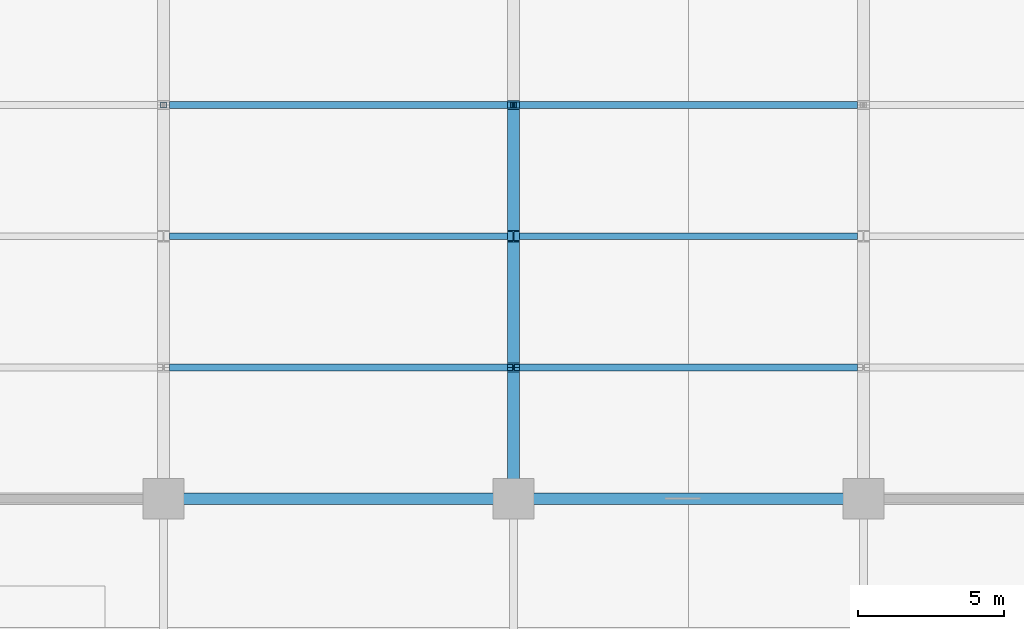
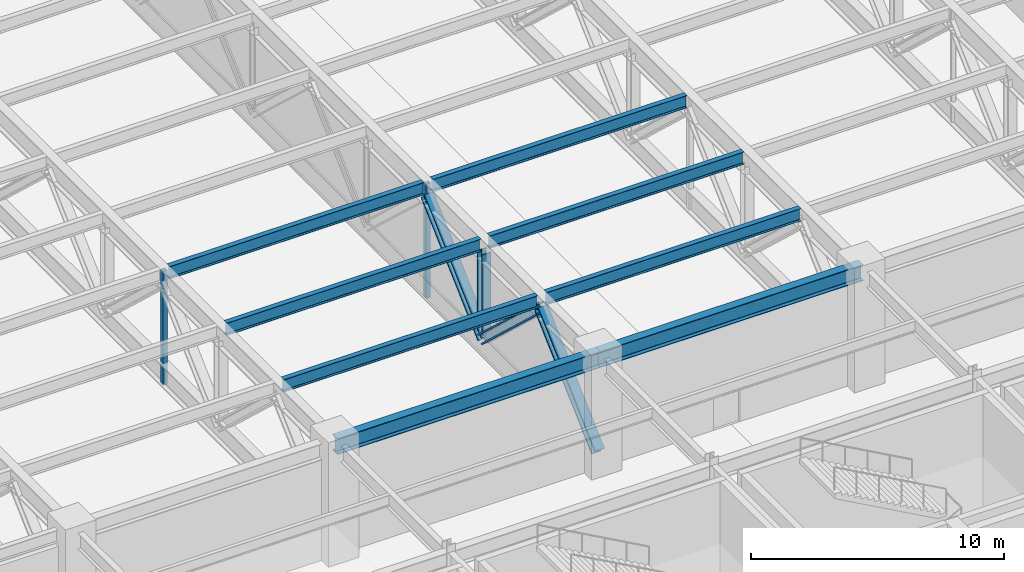
# One storey, part 26 of 108: 8 beams, 6 members.
"""IFC4 building model written with IfcOpenShell, lengths in metres."""

from ifc_helpers import new_model, si_unit, direction, frame, origin, origin_2d, place, context, subcontext, project, spatial, hollow_rectangle, i_section, extrude, material, material_profile, profile_set, type_object, element, save


model = new_model("IFC4")

# Units and contexts
model_context = context("Model", 3, precision=1e-05, world=origin(), true_north=direction((0.0, 1.0)))
body_context = subcontext(model_context, "Body", "Model", "MODEL_VIEW")
ifc_project = project(units=[si_unit("LENGTHUNIT", "METRE"), si_unit("AREAUNIT", "SQUARE_METRE"), si_unit("VOLUMEUNIT", "CUBIC_METRE"), si_unit("PLANEANGLEUNIT", "RADIAN"), si_unit("MASSUNIT", "GRAM", prefix="KILO")], contexts=[model_context])

# Site, building, storey
site_placement = place(None, origin())
site = spatial("IfcSite", under=ifc_project, at=site_placement, CompositionType="ELEMENT")
building_placement = place(site_placement, origin())
building = spatial("IfcBuilding", under=site, at=building_placement, Name="Kaldorvane Square Convention Centre", CompositionType="ELEMENT")
storey_placement = place(building_placement, frame((0.0, 0.0, 12.0)))
storey = spatial("IfcBuildingStorey", under=building, at=storey_placement, Name="L02", CompositionType="ELEMENT", Elevation=12.0)

# Beams
ifc_material_1 = material(Name="Steel ASTM A992 Gr. 50", Category="steel")
ifc_material_profile_1 = material_profile(ifc_material_1, i_section(OverallWidth=0.380706787109375, OverallDepth=0.773193359375, WebThickness=0.0166015625, FlangeThickness=0.027099609375, FilletRadius=0.0164947509765625, at=origin_2d()), Name="W30X173")
ifc_profile_set_1 = profile_set([ifc_material_profile_1], Name="Steel ASTM A992 Gr. 50")
beam_type_1 = type_object("IfcBeamType", Name="BM-GR-W30X173", PredefinedType="BEAM", material=ifc_profile_set_1)
for number, where, z_axis, x_axis, name in (
    (1, (42.0, 18.0, 5.2593994140625), (1.0, 0.0, 0.0), (0.0, 1.0, 0.0), "Primary Girder (L02)"),
    (2, (54.0, 18.0, 5.2593994140625), (1.0, 0.0, 0.0), (0.0, 1.0, 0.0), "Primary Girder (L02)"),
):
    element("IfcBeam", number, at=place(storey_placement, frame(where, z_axis=z_axis, x_axis=x_axis)), inside=storey, type_object=beam_type_1, Name=name, PredefinedType="BEAM", context=body_context, shape_type="SweptSolid", body=[
        extrude(i_section(OverallWidth=0.380706787109375, OverallDepth=0.773193359375, WebThickness=0.0166015625, FlangeThickness=0.027099609375, FilletRadius=0.0164947509765625, at=origin_2d()), origin(), (0.0, 0.0, 1.0), 12.0),
    ])
ifc_material_profile_2 = material_profile(ifc_material_1, i_section(OverallWidth=0.2277069091796875, OverallDepth=0.6027069091796875, WebThickness=0.010498046875, FlangeThickness=0.014892578125, FilletRadius=0.0126953125, at=origin_2d()), Name="W24X68")
ifc_profile_set_2 = profile_set([ifc_material_profile_2], Name="Steel ASTM A992 Gr. 50")
beam_type_2 = type_object("IfcBeamType", Name="BM-JS-W24X68", PredefinedType="JOIST", material=ifc_profile_set_2)
for number, where, z_axis, x_axis, name in (
    (3, (42.204803466796875, 22.5, 5.3446044921875), (1.0, 0.0, 0.0), (0.0, 1.0, 0.0), "Hall Composite Floor Joist (L02)"),
    (4, (42.204803466796875, 27.0, 5.3446044921875), (1.0, 0.0, 0.0), (0.0, 1.0, 0.0), "Hall Composite Floor Joist (L02)"),
    (5, (42.204803466796875, 31.5, 5.3446044921875), (1.0, 0.0, 0.0), (0.0, 1.0, 0.0), "Hall Composite Floor Joist (L02)"),
):
    element("IfcBeam", number, at=place(storey_placement, frame(where, z_axis=z_axis, x_axis=x_axis)), inside=storey, type_object=beam_type_2, Name=name, PredefinedType="JOIST", context=body_context, shape_type="SweptSolid", body=[
        extrude(i_section(OverallWidth=0.2277069091796875, OverallDepth=0.6027069091796875, WebThickness=0.010498046875, FlangeThickness=0.014892578125, FilletRadius=0.0126953125, at=origin_2d()), origin(), (0.0, 0.0, 1.0), 11.592697143554688),
    ])
for number, where, z_axis, x_axis, name in (
    (6, (54.20249938964844, 22.5, 5.3446044921875), (1.0, 0.0, 0.0), (0.0, 1.0, 0.0), "Hall Composite Floor Joist (L02)"),
    (7, (54.20249938964844, 27.0, 5.3446044921875), (1.0, 0.0, 0.0), (0.0, 1.0, 0.0), "Hall Composite Floor Joist (L02)"),
    (8, (54.20249938964844, 31.5, 5.3446044921875), (1.0, 0.0, 0.0), (0.0, 1.0, 0.0), "Hall Composite Floor Joist (L02)"),
):
    element("IfcBeam", number, at=place(storey_placement, frame(where, z_axis=z_axis, x_axis=x_axis)), inside=storey, type_object=beam_type_2, Name=name, PredefinedType="JOIST", context=body_context, shape_type="SweptSolid", body=[
        extrude(i_section(OverallWidth=0.2277069091796875, OverallDepth=0.6027069091796875, WebThickness=0.010498046875, FlangeThickness=0.014892578125, FilletRadius=0.0126953125, at=origin_2d()), origin(), (0.0, 0.0, 1.0), 11.595001220703125),
    ])

# Members
ifc_material_profile_3 = material_profile(ifc_material_1, i_section(OverallWidth=0.412200927734375, OverallDepth=0.4347991943359375, WebThickness=0.035797119140625, FlangeThickness=0.057403564453125, FilletRadius=0.0305023193359375, at=origin_2d()), Name="W14X311")
ifc_profile_set_3 = profile_set([ifc_material_profile_3], Name="Steel ASTM A992 Gr. 50")
member_type_1 = type_object("IfcMemberType", Name="MB-BR-W14X311", PredefinedType="BRACE", material=ifc_profile_set_3)
member_1_placement = place(storey_placement, frame((54.0, 27.0, 0.7299957275390625), z_axis=(0.0, 0.731436442842, 0.681909620172), x_axis=(-1.0, 0.0, 0.0)))
element("IfcMember", 9, at=member_1_placement, inside=storey, type_object=member_type_1, Name="Transfer Truss TT-03 Web Diagonal 2A", PredefinedType="BRACE", context=body_context, shape_type="SweptSolid", body=[
    extrude(i_section(OverallWidth=0.412200927734375, OverallDepth=0.4347991943359375, WebThickness=0.035797119140625, FlangeThickness=0.057403564453125, FilletRadius=0.0305023193359375, at=origin_2d()), origin(), (0.0, 0.0, 1.0), 6.15228271484375),
])
ifc_material_profile_4 = material_profile(ifc_material_1, i_section(OverallWidth=0.4214019775390625, OverallDepth=0.4647979736328125, WebThickness=0.0449981689453125, FlangeThickness=0.072296142578125, FilletRadius=0.0305023193359375, at=origin_2d()), Name="W14X398")
ifc_profile_set_4 = profile_set([ifc_material_profile_4], Name="Steel ASTM A992 Gr. 50")
member_type_2 = type_object("IfcMemberType", Name="MB-BR-W14X398", PredefinedType="BRACE", material=ifc_profile_set_4)
for number, where, z_axis, x_axis, name in (
    (10, (54.0, 18.0, 0.7299957275390625), (0.0, 0.731436442842, 0.681909620172), (-1.0, 0.0, 0.0), "Transfer Truss TT-03 Web Diagonal 1A"),
    (11, (54.0, 22.5, 4.92529296875), (0.0, 0.731436442842, -0.681909620172), (-1.0, 0.0, 0.0), "Transfer Truss TT-03 Web Diagonal 1B"),
):
    element("IfcMember", number, at=place(storey_placement, frame(where, z_axis=z_axis, x_axis=x_axis)), inside=storey, type_object=member_type_2, Name=name, PredefinedType="BRACE", context=body_context, shape_type="SweptSolid", body=[
        extrude(i_section(OverallWidth=0.4214019775390625, OverallDepth=0.4647979736328125, WebThickness=0.0449981689453125, FlangeThickness=0.072296142578125, FilletRadius=0.0305023193359375, at=origin_2d()), origin(), (0.0, 0.0, 1.0), 6.15228271484375),
    ])
ifc_material_2 = material(Name="Steel ASTM A500 Gr. C", Category="steel")
ifc_material_profile_5 = material_profile(ifc_material_2, hollow_rectangle(XDim=0.2032012939453125, YDim=0.2032012939453125, WallThickness=0.0088958740234375, at=origin_2d()), Name="HSS8X8X3/8")
ifc_profile_set_5 = profile_set([ifc_material_profile_5], Name="Steel ASTM A500 Gr. C")
member_type_3 = type_object("IfcMemberType", Name="MB-PS-HSS8", PredefinedType="POST", material=ifc_profile_set_5)
for number, where, z_axis, x_axis, name in (
    (12, (42.0, 31.5, 0.0), (0.0, 0.0, 1.0), (1.0, 0.0, 0.0), "Plenum Structural Post 02"),
    (13, (54.0, 31.5, 0.0), (0.0, 0.0, 1.0), (1.0, 0.0, 0.0), "Plenum Structural Post 03"),
):
    element("IfcMember", number, at=place(storey_placement, frame(where, z_axis=z_axis, x_axis=x_axis)), inside=storey, type_object=member_type_3, Name=name, PredefinedType="POST", context=body_context, shape_type="SweptSolid", body=[
        extrude(hollow_rectangle(XDim=0.2032012939453125, YDim=0.2032012939453125, WallThickness=0.0088958740234375, at=origin_2d()), origin(), (0.0, 0.0, 1.0), 5.5),
    ])
ifc_material_profile_6 = material_profile(ifc_material_1, i_section(OverallWidth=0.3990020751953125, OverallDepth=0.3932037353515625, WebThickness=0.0225982666015625, FlangeThickness=0.0366058349609375, FilletRadius=0.0305023193359375, at=origin_2d()), Name="W14X193")
ifc_profile_set_6 = profile_set([ifc_material_profile_6], Name="Steel ASTM A992 Gr. 50")
member_type_4 = type_object("IfcMemberType", Name="MB-PS-W14X193", PredefinedType="POST", material=ifc_profile_set_6)
member_2_placement = place(storey_placement, frame((54.0, 27.0, 1.0099945068359375), z_axis=(0.0, 0.0, 1.0), x_axis=(1.0, 0.0, 0.0)))
element("IfcMember", 14, at=member_2_placement, inside=storey, type_object=member_type_4, Name="Transfer Truss TT-03 Vertical Post 1", PredefinedType="POST", context=body_context, shape_type="SweptSolid", body=[
    extrude(i_section(OverallWidth=0.3990020751953125, OverallDepth=0.3932037353515625, WebThickness=0.0225982666015625, FlangeThickness=0.0366058349609375, FilletRadius=0.0305023193359375, at=origin_2d()), origin(), (0.0, 0.0, 1.0), 3.9152984619140625),
])

save(model, "model.ifc")
